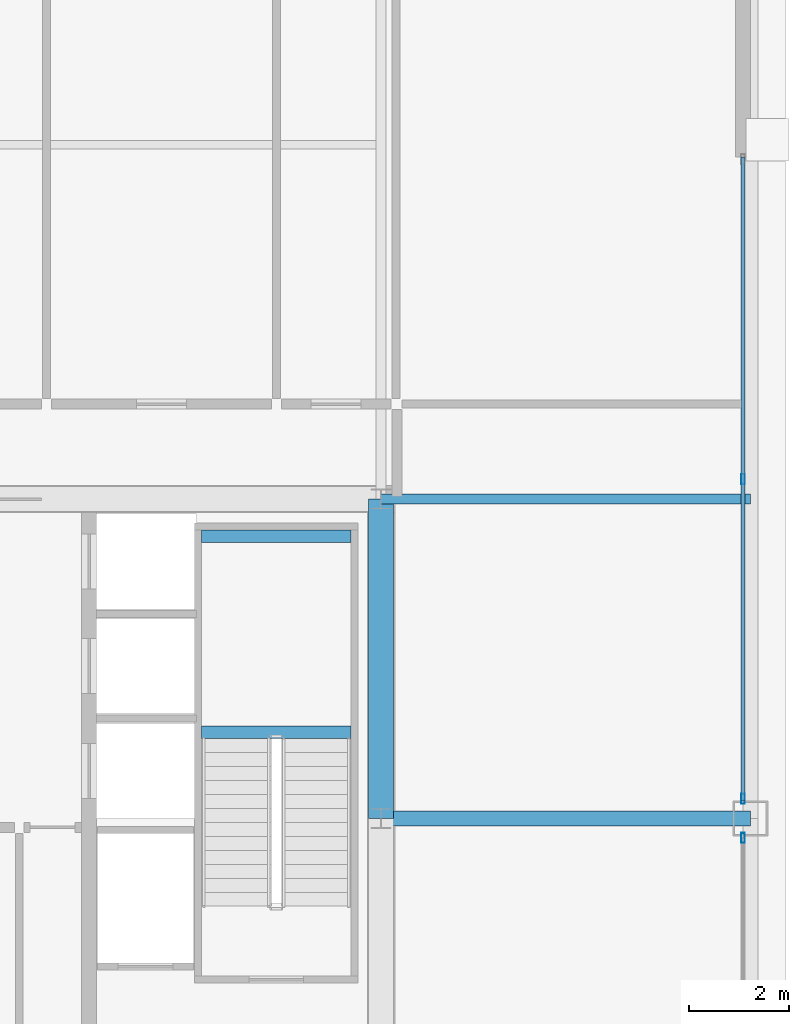
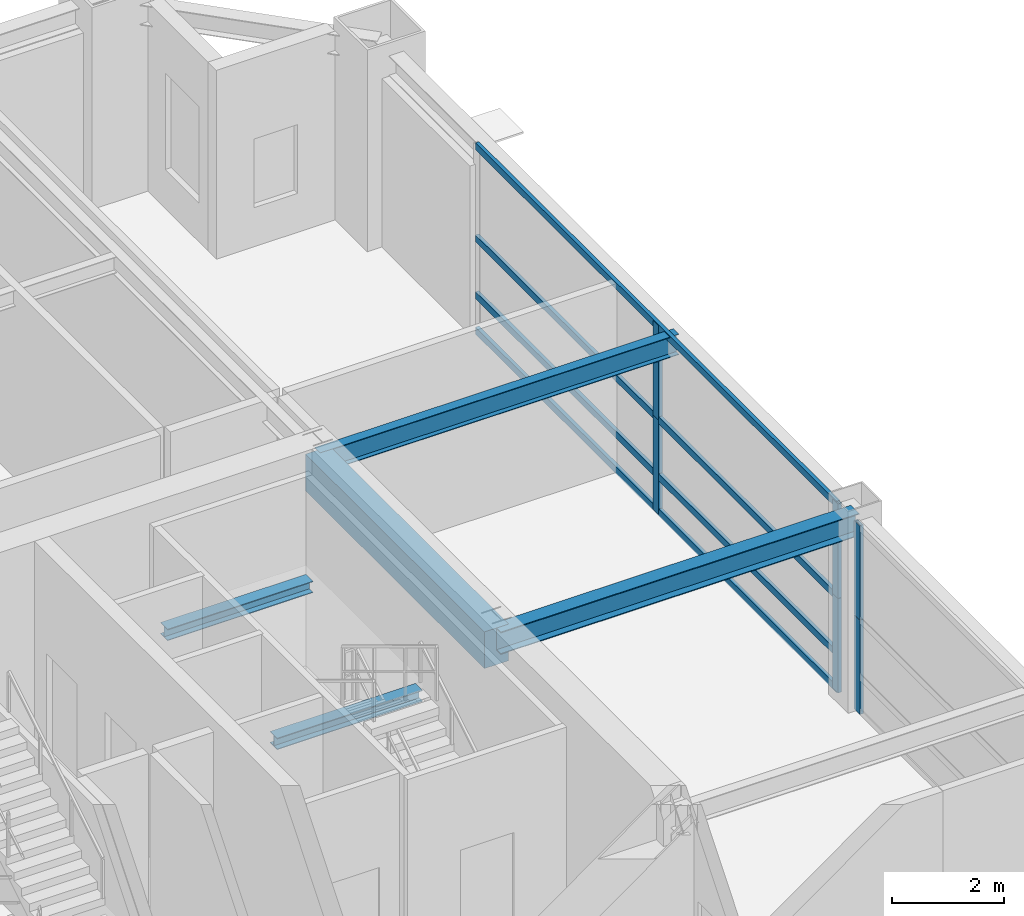
# One storey, part 14 of 26: 10 members, 5 beams, 2 elements without a shape of their own.
"""IFC4 building model written with IfcOpenShell, lengths in metres."""

import ifcopenshell
import ifcopenshell.guid

model = None  # the IFC model being written
_history = None  # IfcOwnerHistory: only IFC2X3 demands one
_inside = {}  # id of a spatial element -> (the spatial element, [elements in it])
_under = {}  # id of a project, library or spatial element -> (it, [spatial elements below it])
_declared = {}  # id of a project -> (the project, [libraries it declares])
_typed = {}  # id of a type object -> (the type object, [elements of that type])
_made_of = {}  # id of a material, layer set ... -> (it, [elements and type objects made of it])


def new_model(schema):
    """Start an empty IFC model of exactly this schema.

    Asked for "IFC4X3", IfcOpenShell would pick the latest addendum, in which some entities
    have other attributes; the version numbers below select the first issue.
    IFC2X3 requires an IfcOwnerHistory on every rooted entity: one is made here for all.
    """
    global model, _history
    if schema == "IFC4X3":
        model = ifcopenshell.file(schema_version=(4, 3, 0, 0))
    else:
        model = ifcopenshell.file(schema=schema)
    _inside.clear()
    _under.clear()
    _declared.clear()
    _typed.clear()
    _made_of.clear()
    _history = None
    if model.schema == "IFC2X3":
        org = make("IfcOrganization", Name="unknown")
        user = make(
            "IfcPersonAndOrganization",
            ThePerson=make("IfcPerson", FamilyName="unknown"),
            TheOrganization=org,
        )
        app = make(
            "IfcApplication",
            ApplicationDeveloper=org,
            Version="unknown",
            ApplicationFullName="unknown",
            ApplicationIdentifier="unknown",
        )
        _history = make(
            "IfcOwnerHistory",
            OwningUser=user,
            OwningApplication=app,
            ChangeAction="ADDED",
            CreationDate=0,
        )
    return model


def make(cls, **values):
    """One entity of the class cls with the attributes given. An attribute that is None is left unset."""
    return model.create_entity(
        cls, **{name: value for name, value in values.items() if value is not None}
    )


def rooted(cls, **values):
    """An entity with a GlobalId (a new one), such as an element, a storey or a relation."""
    return make(cls, GlobalId=ifcopenshell.guid.new(), OwnerHistory=_history, **values)


def si_unit(unit_type, name, prefix=None):
    """IfcSIUnit, for example si_unit("LENGTHUNIT", "METRE", prefix="MILLI")."""
    return make("IfcSIUnit", UnitType=unit_type, Prefix=prefix, Name=name)


def assignment(units):
    """IfcUnitAssignment: the units of a project."""
    return None if units is None else make("IfcUnitAssignment", Units=units)


def point(xyz):
    """IfcCartesianPoint."""
    return None if xyz is None else make("IfcCartesianPoint", Coordinates=xyz)


def direction(xyz):
    """IfcDirection."""
    return None if xyz is None else make("IfcDirection", DirectionRatios=xyz)


def frame(location, z_axis=None, x_axis=None):
    """IfcAxis2Placement3D, a coordinate frame: its origin and axes. An axis left out is left unset."""
    return make(
        "IfcAxis2Placement3D",
        Location=point(location),
        Axis=direction(z_axis),
        RefDirection=direction(x_axis),
    )


def frame_2d(location, x_axis=None):
    """IfcAxis2Placement2D, a coordinate frame in the plane: its origin and x axis."""
    return make(
        "IfcAxis2Placement2D", Location=point(location), RefDirection=direction(x_axis)
    )


def origin():
    """The frame at (0, 0, 0) with its axes left unset."""
    return frame((0.0, 0.0, 0.0))


def origin_2d():
    """The frame at (0, 0) in the plane with its x axis left unset."""
    return frame_2d((0.0, 0.0))


def place(relative_to, where):
    """IfcLocalPlacement: puts the frame where relative to a parent placement (None: the world)."""
    return make(
        "IfcLocalPlacement", PlacementRelTo=relative_to, RelativePlacement=where
    )


def context(
    kind, dimensions, precision=None, world=None, true_north=None, identifier=None
):
    """IfcGeometricRepresentationContext, for example the 3D "Model" context."""
    return make(
        "IfcGeometricRepresentationContext",
        ContextIdentifier=identifier,
        ContextType=kind,
        CoordinateSpaceDimension=dimensions,
        Precision=precision,
        WorldCoordinateSystem=world,
        TrueNorth=true_north,
    )


def subcontext(parent, identifier, kind, view, scale=None):
    """IfcGeometricRepresentationSubContext, for example "Body" below "Model"."""
    return make(
        "IfcGeometricRepresentationSubContext",
        ContextIdentifier=identifier,
        ContextType=kind,
        ParentContext=parent,
        TargetScale=scale,
        TargetView=view,
    )


def project(units=None, contexts=None):
    """IfcProject with its units and contexts."""
    return rooted(
        "IfcProject",
        Name="project",
        RepresentationContexts=contexts,
        UnitsInContext=assignment(units),
    )


def spatial(cls, under=None, at=None, **own):
    """A site, building, storey or space (cls), placed at a placement, below another one or the project."""
    s = rooted(cls, ObjectPlacement=at, **own)
    if under is not None:
        _under.setdefault(under.id(), (under, []))[1].append(s)
    return s


def profile(cls, at=None, kind="AREA", **sizes):
    """A parametric profile (cls). Its sizes go by their IFC names, for example OverallWidth=200.0."""
    return make(cls, ProfileType=kind, Position=at, **sizes)


def rectangle(**sizes):
    """IfcRectangleProfileDef."""
    return profile("IfcRectangleProfileDef", **sizes)


def hollow_rectangle(**sizes):
    """IfcRectangleHollowProfileDef."""
    return profile("IfcRectangleHollowProfileDef", **sizes)


def i_section(**sizes):
    """IfcIShapeProfileDef."""
    return profile("IfcIShapeProfileDef", **sizes)


def extrude(swept, where, along, depth):
    """IfcExtrudedAreaSolid: the profile swept, set in the frame where, extruded along a direction by depth."""
    return make(
        "IfcExtrudedAreaSolid",
        SweptArea=swept,
        Position=where,
        ExtrudedDirection=direction(along),
        Depth=depth,
    )


def shape(context_of_items, identifier, shape_type, items):
    """IfcShapeRepresentation: the items that make up one representation, for example the "Body"."""
    return make(
        "IfcShapeRepresentation",
        ContextOfItems=context_of_items,
        RepresentationIdentifier=identifier,
        RepresentationType=shape_type,
        Items=items,
    )


def source(mapping_origin, context_of_items, identifier, shape_type, items):
    """IfcRepresentationMap: a shape defined once, which mapped items show again and again."""
    return make(
        "IfcRepresentationMap",
        MappingOrigin=mapping_origin,
        MappedRepresentation=shape(context_of_items, identifier, shape_type, items),
    )


def transform(
    local_origin,
    x_axis=None,
    y_axis=None,
    z_axis=None,
    scale=None,
    scale2=None,
    scale3=None,
    uniform=True,
):
    """IfcCartesianTransformationOperator3D, or its non-uniform kind. x_axis, y_axis, z_axis: its Axis1, 2, 3."""
    if uniform:
        return make(
            "IfcCartesianTransformationOperator3D",
            Axis1=direction(x_axis),
            Axis2=direction(y_axis),
            LocalOrigin=point(local_origin),
            Scale=scale,
            Axis3=direction(z_axis),
        )
    return make(
        "IfcCartesianTransformationOperator3DnonUniform",
        Axis1=direction(x_axis),
        Axis2=direction(y_axis),
        LocalOrigin=point(local_origin),
        Scale=scale,
        Axis3=direction(z_axis),
        Scale2=scale2,
        Scale3=scale3,
    )


def mapped(mapping_source, mapping_target):
    """IfcMappedItem: shows the shape of a source again, moved by a transform."""
    return make(
        "IfcMappedItem", MappingSource=mapping_source, MappingTarget=mapping_target
    )


def material(Name=None, Category=None):
    """IfcMaterial."""
    return make("IfcMaterial", Name=Name, Category=Category)


def layer(
    of_material, thickness, ventilated=None, Name=None, Category=None, Priority=None
):
    """IfcMaterialLayer: one layer of a wall or slab, of a material (None: an air gap)."""
    return make(
        "IfcMaterialLayer",
        Material=of_material,
        LayerThickness=thickness,
        IsVentilated=ventilated,
        Name=Name,
        Category=Category,
        Priority=Priority,
    )


def layer_set(layers, Name=None):
    """IfcMaterialLayerSet."""
    return make("IfcMaterialLayerSet", MaterialLayers=layers, LayerSetName=Name)


def material_profile(
    of_material, cross_section, Name=None, Category=None, Priority=None
):
    """IfcMaterialProfile: a cross section and its material."""
    return make(
        "IfcMaterialProfile",
        Name=Name,
        Material=of_material,
        Profile=cross_section,
        Priority=Priority,
        Category=Category,
    )


def profile_set(profiles, Name=None, composite=None):
    """IfcMaterialProfileSet."""
    return make(
        "IfcMaterialProfileSet",
        Name=Name,
        MaterialProfiles=profiles,
        CompositeProfile=composite,
    )


def made_of(thing, what):
    """Note that an element or type object is made of a material, layer set ...; save() writes the relation."""
    if what is not None:
        _made_of.setdefault(what.id(), (what, []))[1].append(thing)
    return thing


def type_object(cls, material=None, **own):
    """A type object (cls), such as IfcWallType, which elements share."""
    return made_of(rooted(cls, **own), material)


def element(
    cls,
    number,
    at=None,
    inside=None,
    cuts=None,
    type_object=None,
    material=None,
    context=None,
    identifier="Body",
    shape_type=None,
    held_by="IfcProductDefinitionShape",
    body=None,
    shapes=None,
    **own,
):
    """One element of the class cls, such as IfcWall. Its Tag is "e" and its number.

    at: its placement. inside: the storey or other place that contains it. cuts: it is an
    opening in that element (IfcRelVoidsElement). A single representation is given by context,
    identifier, shape_type and body (its items); several are given by shapes. held_by: the class
    of the entity that holds the representations. save() writes the other relations.
    """
    e = rooted(cls, Tag="e%d" % number, ObjectPlacement=at, **own)
    if body is not None:
        shapes = [shape(context, identifier, shape_type, body)]
    if shapes is not None:
        e.Representation = make(held_by, Representations=shapes)
    if inside is not None:
        _inside.setdefault(inside.id(), (inside, []))[1].append(e)
    if cuts is not None:
        rooted(
            "IfcRelVoidsElement", RelatingBuildingElement=cuts, RelatedOpeningElement=e
        )
    if type_object is not None:
        _typed.setdefault(type_object.id(), (type_object, []))[1].append(e)
    return made_of(e, material)


def aggregate(whole, parts):
    """IfcRelAggregates: a whole, such as a stair, and the parts it consists of."""
    return rooted("IfcRelAggregates", RelatingObject=whole, RelatedObjects=parts)


def save(model, path):
    """Write the relations noted so far, then the file.

    IfcRelAggregates (storeys below a building ...), IfcRelContainedInSpatialStructure (elements
    in a storey), IfcRelDefinesByType, IfcRelAssociatesMaterial and IfcRelDeclares: one each for
    every whole, place, type object, material and project.
    """
    for whole, parts in _under.values():
        aggregate(whole, parts)
    for where, things in _inside.values():
        rooted(
            "IfcRelContainedInSpatialStructure",
            RelatedElements=things,
            RelatingStructure=where,
        )
    for kind, things in _typed.values():
        rooted("IfcRelDefinesByType", RelatedObjects=things, RelatingType=kind)
    for what, things in _made_of.values():
        rooted("IfcRelAssociatesMaterial", RelatedObjects=things, RelatingMaterial=what)
    for by, libraries in _declared.values():
        rooted("IfcRelDeclares", RelatingContext=by, RelatedDefinitions=libraries)
    model.write(path)


model = new_model("IFC4")

# Units and contexts
model_context = context("Model", 3, precision=1e-05, world=origin(), true_north=direction((0.0, 1.0)))
body_context = subcontext(model_context, "Body", "Model", "MODEL_VIEW")
ifc_project = project(units=[si_unit("LENGTHUNIT", "METRE"), si_unit("AREAUNIT", "SQUARE_METRE"), si_unit("VOLUMEUNIT", "CUBIC_METRE"), si_unit("PLANEANGLEUNIT", "RADIAN"), si_unit("MASSUNIT", "GRAM", prefix="KILO"), si_unit("THERMODYNAMICTEMPERATUREUNIT", "KELVIN"), si_unit("POWERUNIT", "WATT")], contexts=[model_context])

# Site, building, storey
site_placement = place(None, origin())
site = spatial("IfcSite", under=ifc_project, at=site_placement, CompositionType="ELEMENT")
building_placement = place(site_placement, origin())
building = spatial("IfcBuilding", under=site, at=building_placement, Name="Yuzanri Waterfront Tower", CompositionType="ELEMENT")
storey_placement = place(building_placement, frame((0.0, 0.0, 259.10009765625)))
storey = spatial("IfcBuildingStorey", under=building, at=storey_placement, Name="L69", CompositionType="ELEMENT", Elevation=259.10009765625)

# Beams
ifc_material_1 = material(Name="Concrete C50", Category="concrete")
ifc_material_profile_1 = material_profile(ifc_material_1, rectangle(XDim=0.5, YDim=0.800048828125, at=origin_2d()), Name="RC 500x800")
ifc_profile_set_1 = profile_set([ifc_material_profile_1], Name="Concrete C50")
beam_type_1 = type_object("IfcBeamType", Name="Core Coupling Lintel Concrete C50 500x800", PredefinedType="LINTEL", material=ifc_profile_set_1)
shared_shape_1 = source(origin(), body_context, "Body", "SweptSolid", [
    extrude(rectangle(XDim=0.5, YDim=0.800048828125, at=origin_2d()), origin(), (0.0, 0.0, 1.0), 6.39990234375),
])
beam_1_placement = place(storey_placement, frame((50.199951171875, 25.800048828125, 3.719970703125), z_axis=(0.0, 1.0, 0.0), x_axis=(-1.0, 0.0, 0.0)))
element("IfcBeam", 1, at=beam_1_placement, inside=storey, type_object=beam_type_1, Name="L69 Core Tie Beam CE2", PredefinedType="LINTEL", context=body_context, shape_type="MappedRepresentation", body=[
    mapped(shared_shape_1, transform((0.0, 0.0, 0.0), scale=1.0)),
])
ifc_material_2 = material(Name="Steel Q355B", Category="steel")
ifc_material_profile_2 = material_profile(ifc_material_2, i_section(OverallWidth=0.300048828125, OverallDepth=0.488037109375, WebThickness=0.010986328125, FlangeThickness=0.01806640625, at=origin_2d()), Name="HM 488x300x11x18")
ifc_profile_set_2 = profile_set([ifc_material_profile_2], Name="Steel Q355B")
beam_type_2 = type_object("IfcBeamType", Name="Primary Floor Girder Q355B HM 488x300", PredefinedType="BEAM", material=ifc_profile_set_2)
shared_shape_2 = source(origin(), body_context, "Body", "SweptSolid", [
    extrude(i_section(OverallWidth=0.300048828125, OverallDepth=0.488037109375, WebThickness=0.010986328125, FlangeThickness=0.01806640625, at=origin_2d()), origin(), (0.0, 0.0, 1.0), 7.400146484375),
])
beam_2_placement = place(storey_placement, frame((50.199951171875, 25.800048828125, 3.8759765625), z_axis=(1.0, 0.0, 0.0), x_axis=(0.0, 1.0, 0.0)))
element("IfcBeam", 2, at=beam_2_placement, inside=storey, type_object=beam_type_2, Name="L69 East Grid Girder", PredefinedType="BEAM", context=body_context, shape_type="MappedRepresentation", body=[
    mapped(shared_shape_2, transform((0.0, 0.0, 0.0), scale=1.0)),
])
ifc_material_3 = material(Name="Steel Q355B", Category="steel")
ifc_material_profile_3 = material_profile(ifc_material_3, i_section(OverallWidth=0.199951171875, OverallDepth=0.449951171875, WebThickness=0.009033203125, FlangeThickness=0.013916015625, at=origin_2d()), Name="HN 450x200x9x14")
ifc_profile_set_3 = profile_set([ifc_material_profile_3], Name="Steel Q355B")
beam_type_3 = type_object("IfcBeamType", Name="Secondary Floor Beam Q355B HN 450x200", PredefinedType="BEAM", material=ifc_profile_set_3)
shared_shape_3 = source(origin(), body_context, "Body", "SweptSolid", [
    extrude(i_section(OverallWidth=0.199951171875, OverallDepth=0.449951171875, WebThickness=0.009033203125, FlangeThickness=0.013916015625, at=origin_2d()), origin(), (0.0, 0.0, 1.0), 7.400146484375),
])
beam_3_placement = place(storey_placement, frame((50.199951171875, 32.199951171875, 3.89501953125), z_axis=(1.0, 0.0, 0.0), x_axis=(0.0, 1.0, 0.0)))
element("IfcBeam", 3, at=beam_3_placement, inside=storey, type_object=beam_type_3, Name="L69 East-North Core Line Beam", PredefinedType="BEAM", context=body_context, shape_type="MappedRepresentation", body=[
    mapped(shared_shape_3, transform((0.0, 0.0, 0.0), scale=1.0)),
])

# Curtain wall, members
ifc_material_4 = material(Name="Anodized Architectural Bronze", Category="metal")
ifc_layer = layer(ifc_material_4, 0.159912109375)
ifc_layer_set = layer_set([ifc_layer], Name="Anodized Architectural Bronze")
curtain_wall_type = type_object("IfcCurtainWallType", Name="Anodized Bronze Sky-Lobby Triple-Glazed Feature Curtain Wall 7500", PredefinedType="NOTDEFINED", material=ifc_layer_set)
curtain_wall_1_placement = place(storey_placement, origin())
curtain_wall_1 = element("IfcCurtainWall", 4, at=curtain_wall_1_placement, inside=storey, type_object=curtain_wall_type, Name="L69 Curtain Wall CW-L69-EL", PredefinedType="NOTDEFINED")
ifc_material_5 = material(Name="Anodized Architectural Bronze", Category="metal")
ifc_material_profile_4 = material_profile(ifc_material_5, hollow_rectangle(XDim=0.074951171875, YDim=0.199951171875, WallThickness=0.00390625, at=origin_2d()), Name="CWM 75x200")
ifc_profile_set_4 = profile_set([ifc_material_profile_4], Name="Anodized Architectural Bronze")
member_type_1 = type_object("IfcMemberType", Name="Anodized Bronze Primary Curtain-Wall Mullion 75x200", PredefinedType="MULLION", material=ifc_profile_set_4)
shared_shape_4 = source(origin(), body_context, "Body", "SweptSolid", [
    extrude(hollow_rectangle(XDim=0.074951171875, YDim=0.199951171875, WallThickness=0.00390625, at=origin_2d()), origin(), (0.0, 0.0, 1.0), 2.057861328125),
])
member_1_placement = place(storey_placement, frame((57.449951171875, 25.409912109375, 0.0), z_axis=(0.0, 0.0, 1.0), x_axis=(1.0, 0.0, 0.0)))
member_1 = element("IfcMember", 5, at=member_1_placement, type_object=member_type_1, Name="CW-L69-EL Lower Mullion 02", PredefinedType="MULLION", context=body_context, shape_type="MappedRepresentation", body=[
    mapped(shared_shape_4, transform((0.0, 0.0, 0.0), scale=1.0)),
])
member_2_placement = place(storey_placement, frame((57.449951171875, 25.409912109375, 2.06201171875), z_axis=(0.0, 0.0, 1.0), x_axis=(1.0, 0.0, 0.0)))
member_2 = element("IfcMember", 6, at=member_2_placement, type_object=member_type_1, Name="CW-L69-EL Upper Mullion 02", PredefinedType="MULLION", context=body_context, shape_type="MappedRepresentation", body=[
    mapped(shared_shape_4, transform((0.0, 0.0, 0.0), scale=1.0)),
])
aggregate(curtain_wall_1, [member_1, member_2])

curtain_wall_2_placement = place(storey_placement, origin())
curtain_wall_2 = element("IfcCurtainWall", 7, at=curtain_wall_2_placement, inside=storey, type_object=curtain_wall_type, Name="L69 Curtain Wall CW-L69-ER", PredefinedType="NOTDEFINED")
member_3_placement = place(storey_placement, frame((57.449951171875, 26.18994140625, 0.0), z_axis=(0.0, 0.0, 1.0), x_axis=(1.0, 0.0, 0.0)))
member_3 = element("IfcMember", 8, at=member_3_placement, type_object=member_type_1, Name="CW-L69-ER Lower Mullion 00", PredefinedType="MULLION", context=body_context, shape_type="MappedRepresentation", body=[
    mapped(shared_shape_4, transform((0.0, 0.0, 0.0), scale=1.0)),
])
member_4_placement = place(storey_placement, frame((57.449951171875, 26.18994140625, 2.06201171875), z_axis=(0.0, 0.0, 1.0), x_axis=(1.0, 0.0, 0.0)))
member_4 = element("IfcMember", 9, at=member_4_placement, type_object=member_type_1, Name="CW-L69-ER Upper Mullion 00", PredefinedType="MULLION", context=body_context, shape_type="MappedRepresentation", body=[
    mapped(shared_shape_4, transform((0.0, 0.0, 0.0), scale=1.0)),
])
member_5_placement = place(storey_placement, frame((57.449951171875, 32.60009765625, 0.0), z_axis=(0.0, 0.0, 1.0), x_axis=(1.0, 0.0, 0.0)))
member_5 = element("IfcMember", 10, at=member_5_placement, type_object=member_type_1, Name="CW-L69-ER Lower Mullion 01", PredefinedType="MULLION", context=body_context, shape_type="MappedRepresentation", body=[
    mapped(shared_shape_4, transform((0.0, 0.0, 0.0), scale=1.0)),
])
member_6_placement = place(storey_placement, frame((57.449951171875, 32.60009765625, 2.06201171875), z_axis=(0.0, 0.0, 1.0), x_axis=(1.0, 0.0, 0.0)))
member_6 = element("IfcMember", 11, at=member_6_placement, type_object=member_type_1, Name="CW-L69-ER Upper Mullion 01", PredefinedType="MULLION", context=body_context, shape_type="MappedRepresentation", body=[
    mapped(shared_shape_4, transform((0.0, 0.0, 0.0), scale=1.0)),
])
ifc_material_6 = material(Name="Anodized Architectural Bronze", Category="metal")
ifc_material_profile_5 = material_profile(ifc_material_6, hollow_rectangle(XDim=0.074951171875, YDim=0.14990234375, WallThickness=0.00390625, at=origin_2d()), Name="CWT 75x150")
ifc_profile_set_5 = profile_set([ifc_material_profile_5], Name="Anodized Architectural Bronze")
member_type_2 = type_object("IfcMemberType", Name="Anodized Bronze Primary Curtain-Wall Transom 75x150", PredefinedType="USERDEFINED", material=ifc_profile_set_5)
shared_shape_5 = source(origin(), body_context, "Body", "SweptSolid", [
    extrude(hollow_rectangle(XDim=0.074951171875, YDim=0.14990234375, WallThickness=0.00390625, at=origin_2d()), origin(), (0.0, 0.0, 1.0), 12.900146484375),
])
member_7_placement = place(storey_placement, frame((57.449951171875, 26.14990234375, 0.0498046875), z_axis=(0.0, 1.0, 0.0), x_axis=(-1.0, 0.0, 0.0)))
member_7 = element("IfcMember", 12, at=member_7_placement, type_object=member_type_2, Name="CW-L69-ER Transom 1", ObjectType="TRANSOM", PredefinedType="USERDEFINED", context=body_context, shape_type="MappedRepresentation", body=[
    mapped(shared_shape_5, transform((0.0, 0.0, 0.0), scale=1.0)),
])
member_8_placement = place(storey_placement, frame((57.449951171875, 26.14990234375, 0.81982421875), z_axis=(0.0, 1.0, 0.0), x_axis=(-1.0, 0.0, 0.0)))
member_8 = element("IfcMember", 13, at=member_8_placement, type_object=member_type_2, Name="CW-L69-ER Transom 2", ObjectType="TRANSOM", PredefinedType="USERDEFINED", context=body_context, shape_type="MappedRepresentation", body=[
    mapped(shared_shape_5, transform((0.0, 0.0, 0.0), scale=1.0)),
])
member_9_placement = place(storey_placement, frame((57.449951171875, 26.14990234375, 2.059814453125), z_axis=(0.0, 1.0, 0.0), x_axis=(-1.0, 0.0, 0.0)))
member_9 = element("IfcMember", 14, at=member_9_placement, type_object=member_type_2, Name="CW-L69-ER Transom 3", ObjectType="TRANSOM", PredefinedType="USERDEFINED", context=body_context, shape_type="MappedRepresentation", body=[
    mapped(shared_shape_5, transform((0.0, 0.0, 0.0), scale=1.0)),
])
member_10_placement = place(storey_placement, frame((57.449951171875, 26.14990234375, 4.06982421875), z_axis=(0.0, 1.0, 0.0), x_axis=(-1.0, 0.0, 0.0)))
member_10 = element("IfcMember", 15, at=member_10_placement, type_object=member_type_2, Name="CW-L69-ER Transom 4", ObjectType="TRANSOM", PredefinedType="USERDEFINED", context=body_context, shape_type="MappedRepresentation", body=[
    mapped(shared_shape_5, transform((0.0, 0.0, 0.0), scale=1.0)),
])
aggregate(curtain_wall_2, [member_3, member_4, member_5, member_6, member_7, member_8, member_9, member_10])

# Beams
ifc_material_7 = material(Name="Steel Q355B", Category="steel")
ifc_material_profile_6 = material_profile(ifc_material_7, i_section(OverallWidth=0.25, OverallDepth=0.25, WebThickness=0.009033203125, FlangeThickness=0.013916015625, at=origin_2d()), Name="HW 250x250x9x14")
ifc_profile_set_6 = profile_set([ifc_material_profile_6], Name="Steel Q355B")
beam_type_4 = type_object("IfcBeamType", Name="Stair Landing Support Beam Q355B HW 250x250", PredefinedType="BEAM", material=ifc_profile_set_6)
shared_shape_6 = source(origin(), body_context, "Body", "SweptSolid", [
    extrude(i_section(OverallWidth=0.25, OverallDepth=0.25, WebThickness=0.009033203125, FlangeThickness=0.013916015625, at=origin_2d()), origin(), (0.0, 0.0, 1.0), 3.0),
])
for number, where, z_axis, x_axis, name in (
    (16, (46.60009765625, 27.530029296875, 1.875), (1.0, 0.0, 0.0), (0.0, 1.0, 0.0), "L69 Stair Landing Support Beam ST-02-L69-L1-1"),
    (17, (46.60009765625, 31.449951171875, 1.875), (1.0, 0.0, 0.0), (0.0, 1.0, 0.0), "L69 Stair Landing Support Beam ST-02-L69-L1-2"),
):
    element("IfcBeam", number, at=place(storey_placement, frame(where, z_axis=z_axis, x_axis=x_axis)), inside=storey, type_object=beam_type_4, Name=name, PredefinedType="BEAM", context=body_context, shape_type="MappedRepresentation", body=[
        mapped(shared_shape_6, transform((0.0, 0.0, 0.0), scale=1.0)),
    ])

save(model, "model.ifc")
